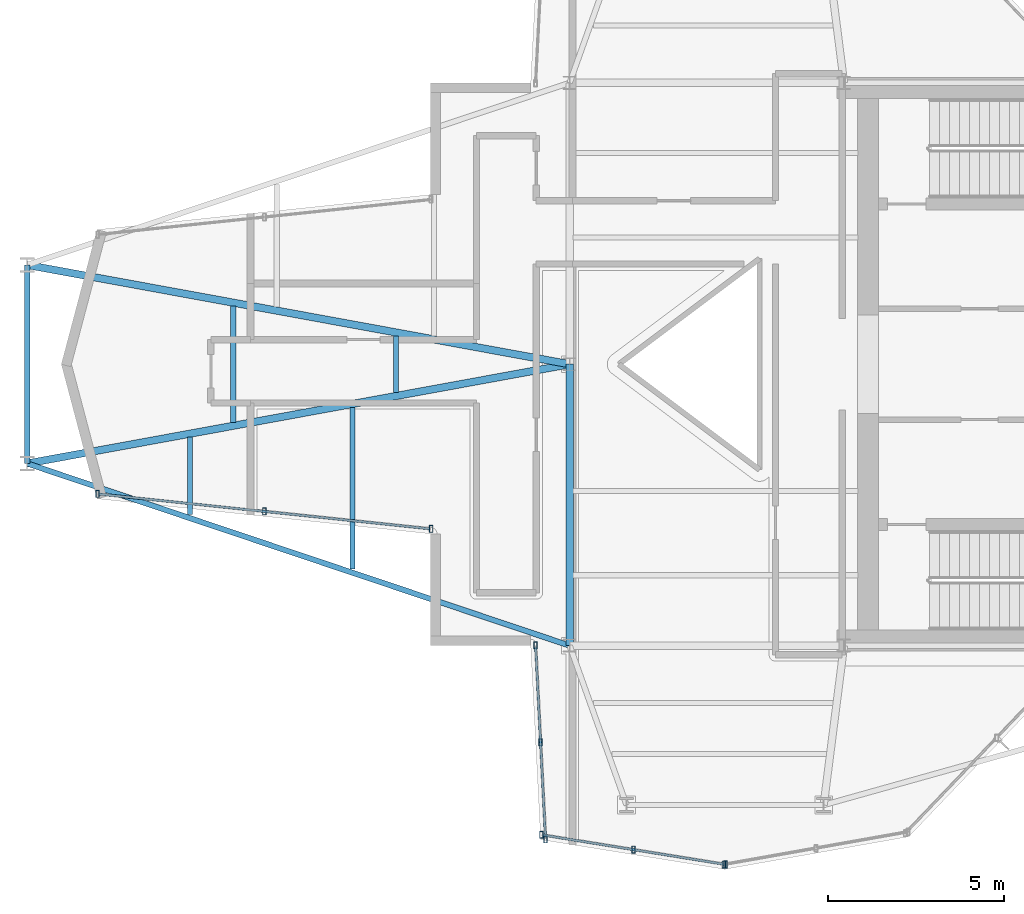
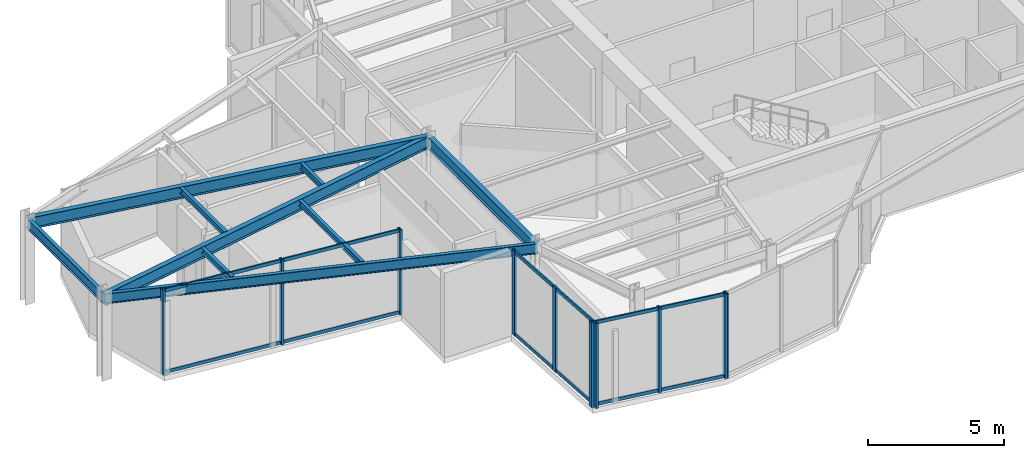
# One storey, part 2 of 14: 16 members, 9 beams, 4 elements without a shape of their own.
"""IFC4 building model written with IfcOpenShell, lengths in metres."""

from ifc_helpers import new_model, si_unit, direction, frame, origin, origin_2d, place, context, subcontext, project, spatial, hollow_rectangle, i_section, extrude, material, layer, layer_set, material_profile, profile_set, type_object, element, aggregate, save


model = new_model("IFC4")

# Units and contexts
model_context = context("Model", 3, precision=1e-05, world=origin(), true_north=direction((0.0, 1.0)))
body_context = subcontext(model_context, "Body", "Model", "MODEL_VIEW")
ifc_project = project(units=[si_unit("LENGTHUNIT", "METRE"), si_unit("AREAUNIT", "SQUARE_METRE"), si_unit("VOLUMEUNIT", "CUBIC_METRE"), si_unit("PLANEANGLEUNIT", "RADIAN"), si_unit("MASSUNIT", "GRAM", prefix="KILO")], contexts=[model_context])

# Site, building, storey
site_placement = place(None, origin())
site = spatial("IfcSite", under=ifc_project, at=site_placement, CompositionType="ELEMENT")
building_placement = place(site_placement, origin())
building = spatial("IfcBuilding", under=site, at=building_placement, Name="Veymaron Broadcast Tower", CompositionType="ELEMENT")
storey_placement = place(building_placement, frame((0.0, 0.0, 295.199951171875)))
storey = spatial("IfcBuildingStorey", under=building, at=storey_placement, Name="L69", CompositionType="ELEMENT", Elevation=295.199951171875)

# Beams
ifc_material_1 = material(Name="Structural steel ASTM A992 Gr 50", Category="steel")
ifc_material_profile_1 = material_profile(ifc_material_1, i_section(OverallWidth=0.208984375, OverallDepth=0.528076171875, WebThickness=0.009521484375, FlangeThickness=0.01318359375, at=origin_2d()), Name="W530X82")
ifc_profile_set_1 = profile_set([ifc_material_profile_1], Name="Structural steel ASTM A992 Gr 50")
beam_type_1 = type_object("IfcBeamType", Name="BM-FG4", PredefinedType="BEAM", material=ifc_profile_set_1)
beam_1_placement = place(storey_placement, frame((31.199951171875, 16.0, 3.546142578125), z_axis=(0.0, 1.0, 0.0), x_axis=(-1.0, 0.0, 0.0)))
element("IfcBeam", 1, at=beam_1_placement, inside=storey, type_object=beam_type_1, Name="L69 primary structural floor girder", PredefinedType="BEAM", context=body_context, shape_type="SweptSolid", body=[
    extrude(i_section(OverallWidth=0.208984375, OverallDepth=0.528076171875, WebThickness=0.009521484375, FlangeThickness=0.01318359375, at=origin_2d()), origin(), (0.0, 0.0, 1.0), 8.0),
])
for number, where, z_axis, x_axis, name in (
    (2, (15.7763671875, 21.177978515625, 3.546142578125), (0.983670246921, 0.179980124799, 0.0), (-0.179980124799, 0.983670246921, 0.0), "L69 primary structural floor girder"),
    (3, (15.7763671875, 26.822021484375, 3.546142578125), (0.983670246921, -0.179980124799, 0.0), (0.179980124799, 0.983670246921, 0.0), "L69 primary structural floor girder"),
):
    element("IfcBeam", number, at=place(storey_placement, frame(where, z_axis=z_axis, x_axis=x_axis)), inside=storey, type_object=beam_type_1, Name=name, PredefinedType="BEAM", context=body_context, shape_type="SweptSolid", body=[
        extrude(i_section(OverallWidth=0.208984375, OverallDepth=0.528076171875, WebThickness=0.009521484375, FlangeThickness=0.01318359375, at=origin_2d()), origin(), (0.0, 0.0, 1.0), 15.6796875),
    ])
ifc_material_profile_2 = material_profile(ifc_material_1, i_section(OverallWidth=0.14599609375, OverallDepth=0.258056640625, WebThickness=0.006103515625, FlangeThickness=0.009033203125, at=origin_2d()), Name="W250X33")
ifc_profile_set_2 = profile_set([ifc_material_profile_2], Name="Structural steel ASTM A992 Gr 50")
beam_type_2 = type_object("IfcBeamType", Name="BM-JS4", PredefinedType="JOIST", material=ifc_profile_set_2)
beam_2_placement = place(storey_placement, frame((20.403564453125, 19.724609375, 3.68115234375), z_axis=(0.0, 1.0, 0.0), x_axis=(-1.0, 0.0, 0.0)))
element("IfcBeam", 4, at=beam_2_placement, inside=storey, type_object=beam_type_2, Name="L69 Arm-A secondary joist 1S", PredefinedType="JOIST", context=body_context, shape_type="SweptSolid", body=[
    extrude(i_section(OverallWidth=0.14599609375, OverallDepth=0.258056640625, WebThickness=0.006103515625, FlangeThickness=0.009033203125, at=origin_2d()), origin(), (0.0, 0.0, 1.0), 2.199951171875),
])
beam_3_placement = place(storey_placement, frame((21.637451171875, 22.350341796875, 3.68115234375), z_axis=(0.0, 1.0, 0.0), x_axis=(-1.0, 0.0, 0.0)))
element("IfcBeam", 5, at=beam_3_placement, inside=storey, type_object=beam_type_2, Name="L69 Arm-A secondary joist 1M", PredefinedType="JOIST", context=body_context, shape_type="SweptSolid", body=[
    extrude(i_section(OverallWidth=0.14599609375, OverallDepth=0.258056640625, WebThickness=0.006103515625, FlangeThickness=0.009033203125, at=origin_2d()), origin(), (0.0, 0.0, 1.0), 3.29931640625),
])
beam_4_placement = place(storey_placement, frame((25.030517578125, 18.171142578125, 3.68115234375), z_axis=(0.0, 1.0, 0.0), x_axis=(-1.0, 0.0, 0.0)))
element("IfcBeam", 6, at=beam_4_placement, inside=storey, type_object=beam_type_2, Name="L69 Arm-A secondary joist 2S", PredefinedType="JOIST", context=body_context, shape_type="SweptSolid", body=[
    extrude(i_section(OverallWidth=0.14599609375, OverallDepth=0.258056640625, WebThickness=0.006103515625, FlangeThickness=0.009033203125, at=origin_2d()), origin(), (0.0, 0.0, 1.0), 4.60009765625),
])
beam_5_placement = place(storey_placement, frame((26.264404296875, 23.197021484375, 3.68115234375), z_axis=(0.0, 1.0, 0.0), x_axis=(-1.0, 0.0, 0.0)))
element("IfcBeam", 7, at=beam_5_placement, inside=storey, type_object=beam_type_2, Name="L69 Arm-A secondary joist 2M", PredefinedType="JOIST", context=body_context, shape_type="SweptSolid", body=[
    extrude(i_section(OverallWidth=0.14599609375, OverallDepth=0.258056640625, WebThickness=0.006103515625, FlangeThickness=0.009033203125, at=origin_2d()), origin(), (0.0, 0.0, 1.0), 1.60595703125),
])
ifc_material_profile_3 = material_profile(ifc_material_1, i_section(OverallWidth=0.154052734375, OverallDepth=0.458984375, WebThickness=0.009033203125, FlangeThickness=0.015380859375, at=origin_2d()), Name="W460X68")
ifc_profile_set_3 = profile_set([ifc_material_profile_3], Name="Structural steel ASTM A992 Gr 50")
beam_type_3 = type_object("IfcBeamType", Name="BM-SP2", PredefinedType="SPANDREL", material=ifc_profile_set_3)
beam_6_placement = place(storey_placement, frame((15.7763671875, 21.177978515625, 3.58056640625), z_axis=(0.948002845498, -0.318261849627, 0.0), x_axis=(0.318261849627, 0.948002845498, 0.0)))
element("IfcBeam", 8, at=beam_6_placement, inside=storey, type_object=beam_type_3, Name="L69 primary structural floor girder", PredefinedType="SPANDREL", context=body_context, shape_type="SweptSolid", body=[
    extrude(i_section(OverallWidth=0.154052734375, OverallDepth=0.458984375, WebThickness=0.009033203125, FlangeThickness=0.015380859375, at=origin_2d()), origin(), (0.0, 0.0, 1.0), 16.26953125),
])
beam_7_placement = place(storey_placement, frame((15.7763671875, 21.177978515625, 3.58056640625), z_axis=(0.0, 1.0, 0.0), x_axis=(-1.0, 0.0, 0.0)))
element("IfcBeam", 9, at=beam_7_placement, inside=storey, type_object=beam_type_3, Name="L69 primary structural floor girder", PredefinedType="SPANDREL", context=body_context, shape_type="SweptSolid", body=[
    extrude(i_section(OverallWidth=0.154052734375, OverallDepth=0.458984375, WebThickness=0.009033203125, FlangeThickness=0.015380859375, at=origin_2d()), origin(), (0.0, 0.0, 1.0), 5.64404296875),
])

# Curtain wall, members
ifc_material_2 = material(Name="Anodised aluminium AA 6063-T6 and laminated low-E dark glass", Category="aluminium")
ifc_layer = layer(ifc_material_2, 0.179931640625)
ifc_layer_set = layer_set([ifc_layer], Name="Anodised aluminium AA 6063-T6 and laminated low-E dark glass")
curtain_wall_type = type_object("IfcCurtainWallType", Name="CW-SYS-06", PredefinedType="NOTDEFINED", material=ifc_layer_set)
curtain_wall_1_placement = place(storey_placement, origin())
curtain_wall_1 = element("IfcCurtainWall", 10, at=curtain_wall_1_placement, inside=storey, type_object=curtain_wall_type, Name="L69 dark-glass curtain wall CW-L69-E14-1", PredefinedType="NOTDEFINED")
ifc_material_3 = material(Name="Anodised aluminium AA 6063-T6", Category="aluminium")
ifc_material_profile_4 = material_profile(ifc_material_3, hollow_rectangle(XDim=0.10009765625, YDim=0.199951171875, WallThickness=0.010009765625, at=origin_2d()), Name="RHS200X100X10")
ifc_profile_set_4 = profile_set([ifc_material_profile_4], Name="Anodised aluminium AA 6063-T6")
member_type_1 = type_object("IfcMemberType", Name="CW-MUL-01", PredefinedType="MULLION", material=ifc_profile_set_4)
member_1_placement = place(storey_placement, frame((17.774658203125, 20.31396484375, 0.0), z_axis=(0.0, 0.0, 1.0), x_axis=(1.0, 0.0, 0.0)))
member_1 = element("IfcMember", 11, at=member_1_placement, type_object=member_type_1, Name="CW-L69-E14-1 mullion 0", PredefinedType="MULLION", context=body_context, shape_type="SweptSolid", body=[
    extrude(hollow_rectangle(XDim=0.10009765625, YDim=0.199951171875, WallThickness=0.010009765625, at=origin_2d()), origin(), (0.0, 0.0, 1.0), 3.81005859375),
])
member_2_placement = place(storey_placement, frame((22.519287109375, 19.81494140625, 0.0), z_axis=(0.0, 0.0, 1.0), x_axis=(1.0, 0.0, 0.0)))
member_2 = element("IfcMember", 12, at=member_2_placement, type_object=member_type_1, Name="CW-L69-E14-1 mullion 1", PredefinedType="MULLION", context=body_context, shape_type="SweptSolid", body=[
    extrude(hollow_rectangle(XDim=0.10009765625, YDim=0.199951171875, WallThickness=0.010009765625, at=origin_2d()), origin(), (0.0, 0.0, 1.0), 3.81005859375),
])
member_3_placement = place(storey_placement, frame((27.26416015625, 19.316162109375, 0.0), z_axis=(0.0, 0.0, 1.0), x_axis=(1.0, 0.0, 0.0)))
member_3 = element("IfcMember", 13, at=member_3_placement, type_object=member_type_1, Name="CW-L69-E14-1 mullion 2", PredefinedType="MULLION", context=body_context, shape_type="SweptSolid", body=[
    extrude(hollow_rectangle(XDim=0.10009765625, YDim=0.199951171875, WallThickness=0.010009765625, at=origin_2d()), origin(), (0.0, 0.0, 1.0), 3.81005859375),
])

curtain_wall_2_placement = place(storey_placement, origin())
curtain_wall_2 = element("IfcCurtainWall", 14, at=curtain_wall_2_placement, inside=storey, type_object=curtain_wall_type, Name="L69 dark-glass curtain wall CW-L69-E17-1", PredefinedType="NOTDEFINED")
member_4_placement = place(storey_placement, frame((30.23046875, 16.007080078125, 0.0), z_axis=(0.0, 0.0, 1.0), x_axis=(1.0, 0.0, 0.0)))
member_4 = element("IfcMember", 15, at=member_4_placement, type_object=member_type_1, Name="CW-L69-E17-1 mullion 0", PredefinedType="MULLION", context=body_context, shape_type="SweptSolid", body=[
    extrude(hollow_rectangle(XDim=0.10009765625, YDim=0.199951171875, WallThickness=0.010009765625, at=origin_2d()), origin(), (0.0, 0.0, 1.0), 3.81005859375),
])
member_5_placement = place(storey_placement, frame((30.372314453125, 13.24853515625, 0.0), z_axis=(0.0, 0.0, 1.0), x_axis=(1.0, 0.0, 0.0)))
member_5 = element("IfcMember", 16, at=member_5_placement, type_object=member_type_1, Name="CW-L69-E17-1 mullion 1", PredefinedType="MULLION", context=body_context, shape_type="SweptSolid", body=[
    extrude(hollow_rectangle(XDim=0.10009765625, YDim=0.199951171875, WallThickness=0.010009765625, at=origin_2d()), origin(), (0.0, 0.0, 1.0), 3.81005859375),
])
member_6_placement = place(storey_placement, frame((30.514404296875, 10.489990234375, 0.0), z_axis=(0.0, 0.0, 1.0), x_axis=(1.0, 0.0, 0.0)))
member_6 = element("IfcMember", 17, at=member_6_placement, type_object=member_type_1, Name="CW-L69-E17-1 mullion 2", PredefinedType="MULLION", context=body_context, shape_type="SweptSolid", body=[
    extrude(hollow_rectangle(XDim=0.10009765625, YDim=0.199951171875, WallThickness=0.010009765625, at=origin_2d()), origin(), (0.0, 0.0, 1.0), 3.81005859375),
])

curtain_wall_3_placement = place(storey_placement, origin())
curtain_wall_3 = element("IfcCurtainWall", 18, at=curtain_wall_3_placement, inside=storey, type_object=curtain_wall_type, Name="L69 dark-glass curtain wall CW-L69-E18-1", PredefinedType="NOTDEFINED")
member_7_placement = place(storey_placement, frame((30.396728515625, 10.62109375, 0.0), z_axis=(0.0, 0.0, 1.0), x_axis=(1.0, 0.0, 0.0)))
member_7 = element("IfcMember", 19, at=member_7_placement, type_object=member_type_1, Name="CW-L69-E18-1 mullion 0", PredefinedType="MULLION", context=body_context, shape_type="SweptSolid", body=[
    extrude(hollow_rectangle(XDim=0.10009765625, YDim=0.199951171875, WallThickness=0.010009765625, at=origin_2d()), origin(), (0.0, 0.0, 1.0), 3.81005859375),
])
member_8_placement = place(storey_placement, frame((33.01416015625, 10.198974609375, 0.0), z_axis=(0.0, 0.0, 1.0), x_axis=(1.0, 0.0, 0.0)))
member_8 = element("IfcMember", 20, at=member_8_placement, type_object=member_type_1, Name="CW-L69-E18-1 mullion 1", PredefinedType="MULLION", context=body_context, shape_type="SweptSolid", body=[
    extrude(hollow_rectangle(XDim=0.10009765625, YDim=0.199951171875, WallThickness=0.010009765625, at=origin_2d()), origin(), (0.0, 0.0, 1.0), 3.81005859375),
])
member_9_placement = place(storey_placement, frame((35.631591796875, 9.777099609375, 0.0), z_axis=(0.0, 0.0, 1.0), x_axis=(1.0, 0.0, 0.0)))
member_9 = element("IfcMember", 21, at=member_9_placement, type_object=member_type_1, Name="CW-L69-E18-1 mullion 2", PredefinedType="MULLION", context=body_context, shape_type="SweptSolid", body=[
    extrude(hollow_rectangle(XDim=0.10009765625, YDim=0.199951171875, WallThickness=0.010009765625, at=origin_2d()), origin(), (0.0, 0.0, 1.0), 3.81005859375),
])

# Curtain wall, member
curtain_wall_4_placement = place(storey_placement, origin())
curtain_wall_4 = element("IfcCurtainWall", 22, at=curtain_wall_4_placement, inside=storey, type_object=curtain_wall_type, Name="L69 dark-glass curtain wall CW-L69-E19-1", PredefinedType="NOTDEFINED")
member_10_placement = place(storey_placement, frame((35.584716796875, 9.776611328125, 0.0), z_axis=(0.0, 0.0, 1.0), x_axis=(1.0, 0.0, 0.0)))
member_10 = element("IfcMember", 23, at=member_10_placement, type_object=member_type_1, Name="CW-L69-E19-1 mullion 0", PredefinedType="MULLION", context=body_context, shape_type="SweptSolid", body=[
    extrude(hollow_rectangle(XDim=0.10009765625, YDim=0.199951171875, WallThickness=0.010009765625, at=origin_2d()), origin(), (0.0, 0.0, 1.0), 3.81005859375),
])
aggregate(curtain_wall_4, [member_10])

# Member
ifc_material_profile_5 = material_profile(ifc_material_3, hollow_rectangle(XDim=0.06494140625, YDim=0.14990234375, WallThickness=0.00390625, at=origin_2d()), Name="AL150X65X4")
ifc_profile_set_5 = profile_set([ifc_material_profile_5], Name="Anodised aluminium AA 6063-T6")
member_type_2 = type_object("IfcMemberType", Name="CW-TRN-01", PredefinedType="USERDEFINED", material=ifc_profile_set_5)
member_11_placement = place(storey_placement, frame((17.82421875, 20.30859375, 0.070068359375), z_axis=(0.99451819669, -0.104563647854, 0.0), x_axis=(0.104563647854, 0.99451819669, 0.0)))
member_11 = element("IfcMember", 24, at=member_11_placement, type_object=member_type_2, Name="CW-L69-E14-1 transom B", ObjectType="TRANSOM", PredefinedType="USERDEFINED", context=body_context, shape_type="SweptSolid", body=[
    extrude(hollow_rectangle(XDim=0.06494140625, YDim=0.14990234375, WallThickness=0.00390625, at=origin_2d()), origin(), (0.0, 0.0, 1.0), 9.442138671875),
])

member_12_placement = place(storey_placement, frame((17.82421875, 20.30859375, 3.739990234375), z_axis=(0.99451819669, -0.104563647854, 0.0), x_axis=(0.104563647854, 0.99451819669, 0.0)))
member_12 = element("IfcMember", 25, at=member_12_placement, type_object=member_type_2, Name="CW-L69-E14-1 transom T", ObjectType="TRANSOM", PredefinedType="USERDEFINED", context=body_context, shape_type="SweptSolid", body=[
    extrude(hollow_rectangle(XDim=0.06494140625, YDim=0.14990234375, WallThickness=0.00390625, at=origin_2d()), origin(), (0.0, 0.0, 1.0), 9.442138671875),
])

aggregate(curtain_wall_1, [member_1, member_2, member_3, member_11, member_12])

member_13_placement = place(storey_placement, frame((30.233154296875, 15.957275390625, 0.070068359375), z_axis=(0.051351716948, -0.998680630215, 0.0), x_axis=(0.998680630215, 0.051351716948, 0.0)))
member_13 = element("IfcMember", 26, at=member_13_placement, type_object=member_type_2, Name="CW-L69-E17-1 transom B", ObjectType="TRANSOM", PredefinedType="USERDEFINED", context=body_context, shape_type="SweptSolid", body=[
    extrude(hollow_rectangle(XDim=0.06494140625, YDim=0.14990234375, WallThickness=0.00390625, at=origin_2d()), origin(), (0.0, 0.0, 1.0), 5.424560546875),
])

member_14_placement = place(storey_placement, frame((30.233154296875, 15.957275390625, 3.739990234375), z_axis=(0.051351716948, -0.998680630215, 0.0), x_axis=(0.998680630215, 0.051351716948, 0.0)))
member_14 = element("IfcMember", 27, at=member_14_placement, type_object=member_type_2, Name="CW-L69-E17-1 transom T", ObjectType="TRANSOM", PredefinedType="USERDEFINED", context=body_context, shape_type="SweptSolid", body=[
    extrude(hollow_rectangle(XDim=0.06494140625, YDim=0.14990234375, WallThickness=0.00390625, at=origin_2d()), origin(), (0.0, 0.0, 1.0), 5.424560546875),
])

aggregate(curtain_wall_2, [member_4, member_5, member_6, member_13, member_14])

member_15_placement = place(storey_placement, frame((30.4462890625, 10.613037109375, 0.070068359375), z_axis=(0.987247783528, -0.15919112387, 0.0), x_axis=(0.15919112387, 0.987247783528, 0.0)))
member_15 = element("IfcMember", 28, at=member_15_placement, type_object=member_type_2, Name="CW-L69-E18-1 transom B", ObjectType="TRANSOM", PredefinedType="USERDEFINED", context=body_context, shape_type="SweptSolid", body=[
    extrude(hollow_rectangle(XDim=0.06494140625, YDim=0.14990234375, WallThickness=0.00390625, at=origin_2d()), origin(), (0.0, 0.0, 1.0), 5.2021484375),
])

member_16_placement = place(storey_placement, frame((30.4462890625, 10.613037109375, 3.739990234375), z_axis=(0.987247783528, -0.15919112387, 0.0), x_axis=(0.15919112387, 0.987247783528, 0.0)))
member_16 = element("IfcMember", 29, at=member_16_placement, type_object=member_type_2, Name="CW-L69-E18-1 transom T", ObjectType="TRANSOM", PredefinedType="USERDEFINED", context=body_context, shape_type="SweptSolid", body=[
    extrude(hollow_rectangle(XDim=0.06494140625, YDim=0.14990234375, WallThickness=0.00390625, at=origin_2d()), origin(), (0.0, 0.0, 1.0), 5.2021484375),
])

aggregate(curtain_wall_3, [member_7, member_8, member_9, member_15, member_16])

save(model, "model.ifc")
